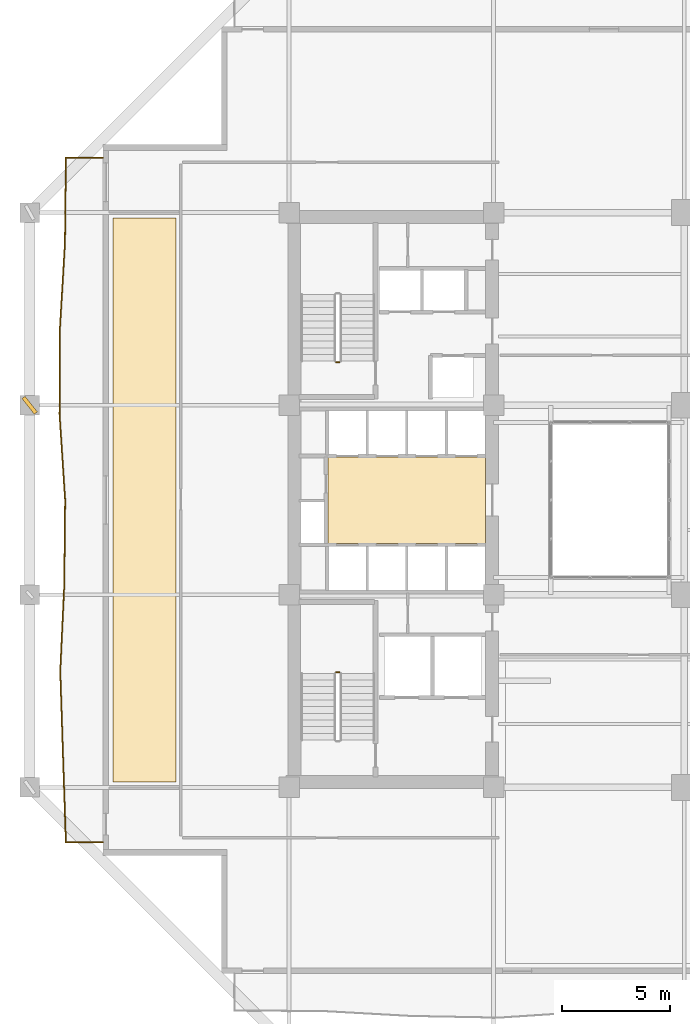
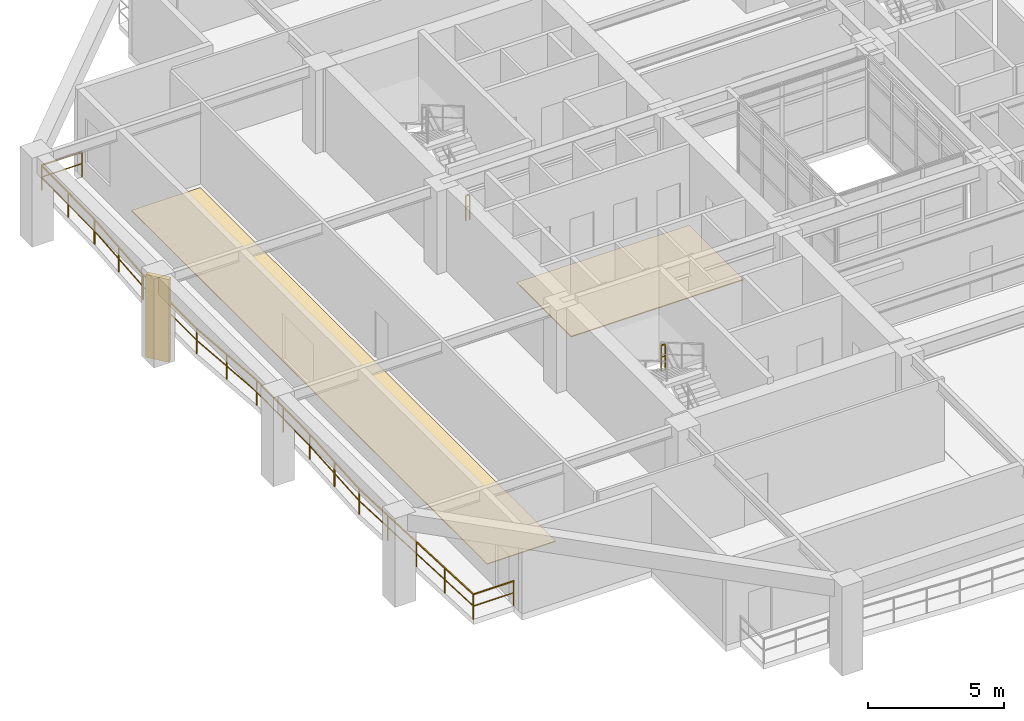
# One storey, part 12 of 17: 3 railings, 2 coverings, 1 shading device.
"""IFC4 building model written with IfcOpenShell, lengths in metres."""

from ifc_helpers import new_model, si_unit, direction, frame, origin, origin_2d, place, context, subcontext, project, spatial, polyline, rectangle, outline, extrude, material, layer, layer_set, type_object, element, save


model = new_model("IFC4")

# Units and contexts
model_context = context("Model", 3, precision=1e-05, world=origin(), true_north=direction((0.0, 1.0)))
body_context = subcontext(model_context, "Body", "Model", "MODEL_VIEW")
ifc_project = project(units=[si_unit("LENGTHUNIT", "METRE"), si_unit("AREAUNIT", "SQUARE_METRE"), si_unit("VOLUMEUNIT", "CUBIC_METRE"), si_unit("PLANEANGLEUNIT", "RADIAN"), si_unit("MASSUNIT", "GRAM", prefix="KILO")], contexts=[model_context])

# Site, building, storey
site_placement = place(None, origin())
site = spatial("IfcSite", under=ifc_project, at=site_placement, CompositionType="ELEMENT")
building_placement = place(site_placement, origin())
building = spatial("IfcBuilding", under=site, at=building_placement, Name="Kundavana Baori Tower", CompositionType="ELEMENT")
storey_placement = place(building_placement, frame((0.0, 0.0, 26.0)))
storey = spatial("IfcBuildingStorey", under=building, at=storey_placement, Name="L05", CompositionType="ELEMENT", Elevation=26.0)

# Coverings
ifc_material_1 = material(Name="Honed Kota Stone and Terrazzo Flooring", Category="masonry")
ifc_layer_1 = layer(ifc_material_1, 0.0400390625, Name="COV-FLR-TERR-40")
ifc_layer_set_1 = layer_set([ifc_layer_1], Name="Honed Kota Stone and Terrazzo Flooring")
covering_type_1 = type_object("IfcCoveringType", Name="COV-FLR-TERR-40", PredefinedType="FLOORING", material=ifc_layer_set_1)
covering_1_placement = place(storey_placement, origin())
element("IfcCovering", 1, at=covering_1_placement, inside=storey, type_object=covering_type_1, Name="L05 Core Lift Lobby Kota Stone Flooring", PredefinedType="FLOORING", context=body_context, shape_type="SweptSolid", body=[
    extrude(outline(polyline([(17.25, 26.580078125), (24.580078125, 26.580078125), (24.580078125, 30.60009765625), (17.25, 30.60009765625), (17.25, 26.580078125)])), origin(), (0.0, 0.0, 1.0), 0.0400390625),
])
ifc_material_2 = material(Name="Honed Kota Stone and Terrazzo Flooring", Category="masonry")
ifc_layer_2 = layer(ifc_material_2, 0.030029296875, Name="COV-INT-FLR")
ifc_layer_set_2 = layer_set([ifc_layer_2], Name="Honed Kota Stone and Terrazzo Flooring")
covering_type_2 = type_object("IfcCoveringType", Name="COV-INT-FLR", PredefinedType="FLOORING", material=ifc_layer_set_2)
covering_2_placement = place(storey_placement, origin())
element("IfcCovering", 2, at=covering_2_placement, inside=storey, type_object=covering_type_2, Name="L05 Room Finished Stone Flooring 1", PredefinedType="FLOORING", context=body_context, shape_type="SweptSolid", body=[
    extrude(outline(polyline([(7.280029296875, 15.5), (10.199951171875, 15.5), (10.199951171875, 41.699951171875), (7.280029296875, 41.699951171875), (7.280029296875, 15.5)])), origin(), (0.0, 0.0, 1.0), 0.030029296875),
])

# Railings
ifc_material_3 = material(Name="Architectural Patinated Bronze Metalwork")
railing_type_1 = type_object("IfcRailingType", Name="RL-BAL-1150", PredefinedType="BALUSTRADE", material=ifc_material_3)
railing_placement = place(storey_placement, frame((6.800048828125, 12.699951171875, 0.0)))
element("IfcRailing", 3, at=railing_placement, inside=storey, type_object=railing_type_1, Name="L05 Loggia Balcony Balustrade W", PredefinedType="BALUSTRADE", context=body_context, shape_type="SweptSolid", body=[
    extrude(rectangle(XDim=0.048095703125, YDim=0.048095703125, at=origin_2d()), frame((0.0, 0.0, 1.1259765625), z_axis=(-1.0, 0.0, 0.0), x_axis=(0.0, -1.0, 0.0)), (0.0, 0.0, 1.0), 1.719970703125),
    extrude(rectangle(XDim=0.03125, YDim=0.03125, at=origin_2d()), frame((0.0, 0.0, 0.597900390625), z_axis=(-1.0, 0.0, 0.0), x_axis=(0.0, -1.0, 0.0)), (0.0, 0.0, 1.0), 1.719970703125),
    extrude(rectangle(XDim=0.048095703125, YDim=0.048095703125, at=origin_2d()), frame((-1.719970703125, 0.0, 1.1259765625), z_axis=(-0.033699065338, 0.9994320252, 0.0), x_axis=(-0.9994320252, -0.033699065338, 0.0)), (0.0, 0.0, 1.0), 3.977294921875),
    extrude(rectangle(XDim=0.03125, YDim=0.03125, at=origin_2d()), frame((-1.719970703125, 0.0, 0.597900390625), z_axis=(-0.033699065338, 0.9994320252, 0.0), x_axis=(-0.9994320252, -0.033699065338, 0.0)), (0.0, 0.0, 1.0), 3.977294921875),
    extrude(rectangle(XDim=0.048095703125, YDim=0.048095703125, at=origin_2d()), frame((-1.85400390625, 3.97509765625, 1.1259765625), z_axis=(-0.032474724076, 0.99947255705, 0.0), x_axis=(-0.99947255705, -0.032474724076, 0.0)), (0.0, 0.0, 1.0), 3.97705078125),
    extrude(rectangle(XDim=0.03125, YDim=0.03125, at=origin_2d()), frame((-1.85400390625, 3.97509765625, 0.597900390625), z_axis=(-0.032474724076, 0.99947255705, 0.0), x_axis=(-0.99947255705, -0.032474724076, 0.0)), (0.0, 0.0, 1.0), 3.97705078125),
    extrude(rectangle(XDim=0.048095703125, YDim=0.048095703125, at=origin_2d()), frame((-1.983154296875, 7.949951171875, 1.1259765625), z_axis=(0.046504109984, 0.998918098622, 0.0), x_axis=(-0.998918098622, 0.046504109984, 0.0)), (0.0, 0.0, 1.0), 3.9794921875),
    extrude(rectangle(XDim=0.03125, YDim=0.03125, at=origin_2d()), frame((-1.983154296875, 7.949951171875, 0.597900390625), z_axis=(0.046504109984, 0.998918098622, 0.0), x_axis=(-0.998918098622, 0.046504109984, 0.0)), (0.0, 0.0, 1.0), 3.9794921875),
    extrude(rectangle(XDim=0.048095703125, YDim=0.048095703125, at=origin_2d()), frame((-1.798095703125, 11.925048828125, 1.1259765625), z_axis=(0.010563223419, 0.999944207599, 0.0), x_axis=(-0.999944207599, 0.010563223419, 0.0)), (0.0, 0.0, 1.0), 3.975341796875),
    extrude(rectangle(XDim=0.03125, YDim=0.03125, at=origin_2d()), frame((-1.798095703125, 11.925048828125, 0.597900390625), z_axis=(0.010563223419, 0.999944207599, 0.0), x_axis=(-0.999944207599, 0.010563223419, 0.0)), (0.0, 0.0, 1.0), 3.975341796875),
    extrude(rectangle(XDim=0.048095703125, YDim=0.048095703125, at=origin_2d()), frame((-1.756103515625, 15.900146484375, 1.1259765625), z_axis=(-0.065030046558, 0.997883306326, 0.0), x_axis=(-0.997883306326, -0.065030046558, 0.0)), (0.0, 0.0, 1.0), 3.9833984375),
    extrude(rectangle(XDim=0.03125, YDim=0.03125, at=origin_2d()), frame((-1.756103515625, 15.900146484375, 0.597900390625), z_axis=(-0.065030046558, 0.997883306326, 0.0), x_axis=(-0.997883306326, -0.065030046558, 0.0)), (0.0, 0.0, 1.0), 3.9833984375),
    extrude(rectangle(XDim=0.048095703125, YDim=0.048095703125, at=origin_2d()), frame((-2.01513671875, 19.875, 1.1259765625), z_axis=(0.004053522772, 0.999991784443, 0.0), x_axis=(-0.999991784443, 0.004053522772, 0.0)), (0.0, 0.0, 1.0), 3.97509765625),
    extrude(rectangle(XDim=0.03125, YDim=0.03125, at=origin_2d()), frame((-2.01513671875, 19.875, 0.597900390625), z_axis=(0.004053522772, 0.999991784443, 0.0), x_axis=(-0.999991784443, 0.004053522772, 0.0)), (0.0, 0.0, 1.0), 3.97509765625),
    extrude(rectangle(XDim=0.048095703125, YDim=0.048095703125, at=origin_2d()), frame((-1.9990234375, 23.85009765625, 1.1259765625), z_axis=(0.058739993648, 0.998273315854, 0.0), x_axis=(-0.998273315854, 0.058739993648, 0.0)), (0.0, 0.0, 1.0), 3.981689453125),
    extrude(rectangle(XDim=0.03125, YDim=0.03125, at=origin_2d()), frame((-1.9990234375, 23.85009765625, 0.597900390625), z_axis=(0.058739993648, 0.998273315854, 0.0), x_axis=(-0.998273315854, 0.058739993648, 0.0)), (0.0, 0.0, 1.0), 3.981689453125),
    extrude(rectangle(XDim=0.048095703125, YDim=0.048095703125, at=origin_2d()), frame((-1.76513671875, 27.824951171875, 1.1259765625), z_axis=(0.011361507146, 0.999935455995, 0.0), x_axis=(-0.999935455995, 0.011361507146, 0.0)), (0.0, 0.0, 1.0), 3.975341796875),
    extrude(rectangle(XDim=0.03125, YDim=0.03125, at=origin_2d()), frame((-1.76513671875, 27.824951171875, 0.597900390625), z_axis=(0.011361507146, 0.999935455995, 0.0), x_axis=(-0.999935455995, 0.011361507146, 0.0)), (0.0, 0.0, 1.0), 3.975341796875),
    extrude(rectangle(XDim=0.048095703125, YDim=0.048095703125, at=origin_2d()), frame((-1.719970703125, 31.800048828125, 1.1259765625), z_axis=(1.0, 0.0, 0.0), x_axis=(0.0, 1.0, 0.0)), (0.0, 0.0, 1.0), 1.719970703125),
    extrude(rectangle(XDim=0.03125, YDim=0.03125, at=origin_2d()), frame((-1.719970703125, 31.800048828125, 0.597900390625), z_axis=(1.0, 0.0, 0.0), x_axis=(0.0, 1.0, 0.0)), (0.0, 0.0, 1.0), 1.719970703125),
    extrude(rectangle(XDim=0.0419921875, YDim=0.0419921875, at=origin_2d()), origin(), (0.0, 0.0, 1.0), 1.101806640625),
    extrude(rectangle(XDim=0.0419921875, YDim=0.0419921875, at=origin_2d()), frame((-1.719970703125, 0.0, 0.0)), (0.0, 0.0, 1.0), 1.101806640625),
    extrude(rectangle(XDim=0.0419921875, YDim=0.0419921875, at=origin_2d()), frame((-1.787109375, 1.987548828125, 0.0)), (0.0, 0.0, 1.0), 1.101806640625),
    extrude(rectangle(XDim=0.0419921875, YDim=0.0419921875, at=origin_2d()), frame((-1.85400390625, 3.97509765625, 0.0)), (0.0, 0.0, 1.0), 1.101806640625),
    extrude(rectangle(XDim=0.0419921875, YDim=0.0419921875, at=origin_2d()), frame((-1.91845703125, 5.96240234375, 0.0)), (0.0, 0.0, 1.0), 1.101806640625),
    extrude(rectangle(XDim=0.0419921875, YDim=0.0419921875, at=origin_2d()), frame((-1.983154296875, 7.949951171875, 0.0)), (0.0, 0.0, 1.0), 1.101806640625),
    extrude(rectangle(XDim=0.0419921875, YDim=0.0419921875, at=origin_2d()), frame((-1.890625, 9.9375, 0.0)), (0.0, 0.0, 1.0), 1.101806640625),
    extrude(rectangle(XDim=0.0419921875, YDim=0.0419921875, at=origin_2d()), frame((-1.798095703125, 11.925048828125, 0.0)), (0.0, 0.0, 1.0), 1.101806640625),
    extrude(rectangle(XDim=0.0419921875, YDim=0.0419921875, at=origin_2d()), frame((-1.777099609375, 13.91259765625, 0.0)), (0.0, 0.0, 1.0), 1.101806640625),
    extrude(rectangle(XDim=0.0419921875, YDim=0.0419921875, at=origin_2d()), frame((-1.756103515625, 15.900146484375, 0.0)), (0.0, 0.0, 1.0), 1.101806640625),
    extrude(rectangle(XDim=0.0419921875, YDim=0.0419921875, at=origin_2d()), frame((-1.8857421875, 17.8876953125, 0.0)), (0.0, 0.0, 1.0), 1.101806640625),
    extrude(rectangle(XDim=0.0419921875, YDim=0.0419921875, at=origin_2d()), frame((-2.01513671875, 19.875, 0.0)), (0.0, 0.0, 1.0), 1.101806640625),
    extrude(rectangle(XDim=0.0419921875, YDim=0.0419921875, at=origin_2d()), frame((-2.007080078125, 21.862548828125, 0.0)), (0.0, 0.0, 1.0), 1.101806640625),
    extrude(rectangle(XDim=0.0419921875, YDim=0.0419921875, at=origin_2d()), frame((-1.9990234375, 23.85009765625, 0.0)), (0.0, 0.0, 1.0), 1.101806640625),
    extrude(rectangle(XDim=0.0419921875, YDim=0.0419921875, at=origin_2d()), frame((-1.882080078125, 25.83740234375, 0.0)), (0.0, 0.0, 1.0), 1.101806640625),
    extrude(rectangle(XDim=0.0419921875, YDim=0.0419921875, at=origin_2d()), frame((-1.76513671875, 27.824951171875, 0.0)), (0.0, 0.0, 1.0), 1.101806640625),
    extrude(rectangle(XDim=0.0419921875, YDim=0.0419921875, at=origin_2d()), frame((-1.74267578125, 29.8125, 0.0)), (0.0, 0.0, 1.0), 1.101806640625),
    extrude(rectangle(XDim=0.0419921875, YDim=0.0419921875, at=origin_2d()), frame((-1.719970703125, 31.800048828125, 0.0)), (0.0, 0.0, 1.0), 1.101806640625),
    extrude(rectangle(XDim=0.0419921875, YDim=0.0419921875, at=origin_2d()), frame((0.0, 31.800048828125, 0.0)), (0.0, 0.0, 1.0), 1.101806640625),
])
ifc_material_4 = material(Name="Architectural Patinated Bronze Metalwork")
railing_type_2 = type_object("IfcRailingType", Name="RL-GRD-1150", PredefinedType="GUARDRAIL", material=ifc_material_4)
for number, where, name in (
    (4, (17.7900390625, 20.60009765625, 2.0), "L05 ST1 stair guard 2"),
    (5, (17.7900390625, 35.0, 0.0), "L05 ST2 stair guard 4"),
):
    element("IfcRailing", number, at=place(storey_placement, frame(where)), inside=storey, type_object=railing_type_2, Name=name, PredefinedType="GUARDRAIL", context=body_context, shape_type="SweptSolid", body=[
        extrude(rectangle(XDim=0.048095703125, YDim=0.048095703125, at=origin_2d()), frame((0.0, 0.0, 1.1259765625), z_axis=(-1.0, 0.0, 0.0), x_axis=(0.0, -1.0, 0.0)), (0.0, 0.0, 1.0), 0.16015625),
        extrude(rectangle(XDim=0.03125, YDim=0.03125, at=origin_2d()), frame((0.0, 0.0, 0.597900390625), z_axis=(-1.0, 0.0, 0.0), x_axis=(0.0, -1.0, 0.0)), (0.0, 0.0, 1.0), 0.16015625),
        extrude(rectangle(XDim=0.0419921875, YDim=0.0419921875, at=origin_2d()), origin(), (0.0, 0.0, 1.0), 1.101806640625),
        extrude(rectangle(XDim=0.0419921875, YDim=0.0419921875, at=origin_2d()), frame((-0.16015625, 0.0, 0.0)), (0.0, 0.0, 1.0), 1.101806640625),
    ])

# Shading device
ifc_material_5 = material(Name="Red-Buff Dholpur Sandstone Cladding on Concrete C40/50", Category="masonry")
shading_device_type = type_object("IfcShadingDeviceType", Name="SHD-FIN-920", PredefinedType="JALOUSIE", material=ifc_material_5)
shading_device_placement = place(storey_placement, frame((3.39990234375, 33.0, 0.0), z_axis=(0.0, 0.0, 1.0), x_axis=(0.785316930881, 0.61909394931, 0.0)))
element("IfcShadingDevice", 6, at=shading_device_placement, inside=storey, type_object=shading_device_type, Name="L05 Sweeping Dholpur Sandstone Facade Fin 7", PredefinedType="JALOUSIE", context=body_context, shape_type="SweptSolid", body=[
    extrude(rectangle(XDim=0.179931640625, YDim=0.919921875, at=origin_2d()), origin(), (0.0, 0.0, 1.0), 3.719970703125),
])

save(model, "model.ifc")
